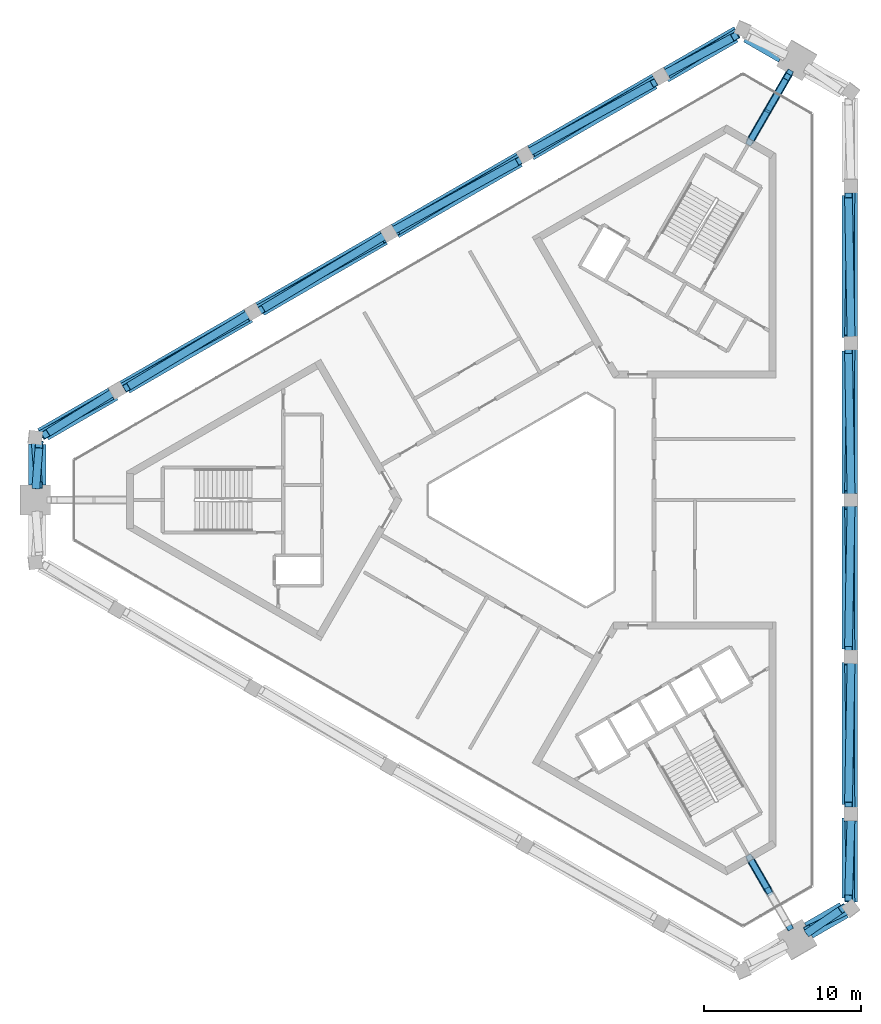
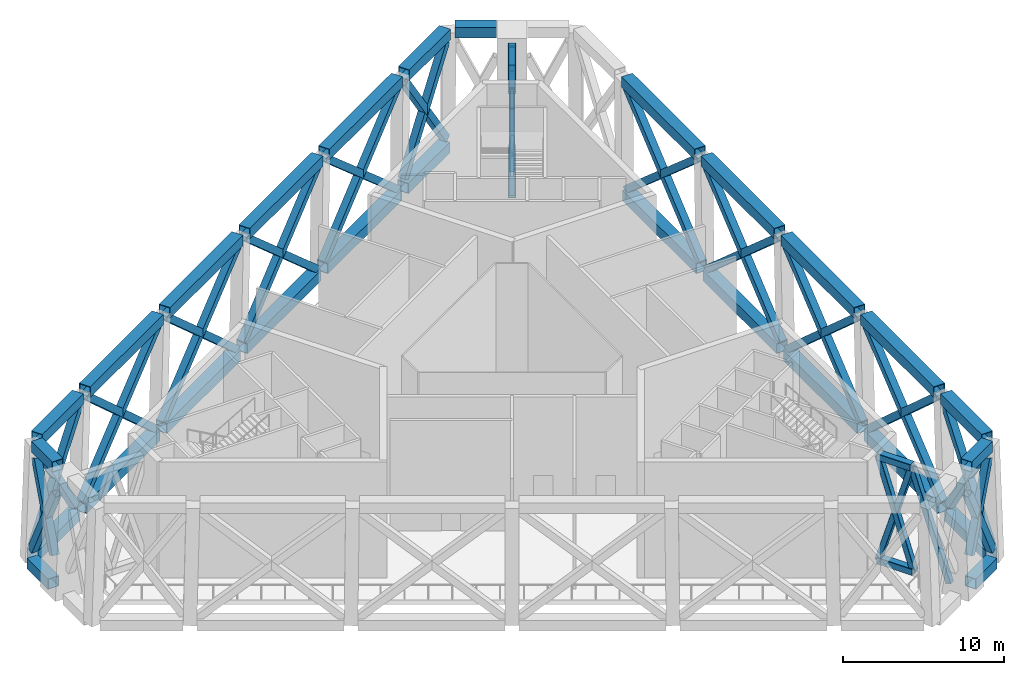
# One storey, part 2 of 8: 66 members.
"""IFC4 building model written with IfcOpenShell, lengths in metres."""

from ifc_helpers import new_model, si_unit, direction, frame, origin, origin_2d, place, context, subcontext, project, spatial, hollow_rectangle, extrude, material, material_profile, profile_set, type_object, element, save


model = new_model("IFC4")

# Units and contexts
model_context = context("Model", 3, precision=1e-05, world=origin(), true_north=direction((0.0, 1.0)))
body_context = subcontext(model_context, "Body", "Model", "MODEL_VIEW")
ifc_project = project(units=[si_unit("LENGTHUNIT", "METRE"), si_unit("AREAUNIT", "SQUARE_METRE"), si_unit("VOLUMEUNIT", "CUBIC_METRE"), si_unit("PLANEANGLEUNIT", "RADIAN"), si_unit("MASSUNIT", "GRAM", prefix="KILO")], contexts=[model_context])

# Site, building, storey
site_placement = place(None, origin())
site = spatial("IfcSite", under=ifc_project, at=site_placement, CompositionType="ELEMENT")
building_placement = place(site_placement, origin())
building = spatial("IfcBuilding", under=site, at=building_placement, Name="Jabali Bay Hotel Tower and Convention Centre", CompositionType="ELEMENT")
storey_placement = place(building_placement, frame((0.0, 0.0, 246.5)))
storey = spatial("IfcBuildingStorey", under=building, at=storey_placement, Name="L61", CompositionType="ELEMENT", Elevation=246.5)

# Members
ifc_material = material(Name="Steel Q420GJC", Category="steel")
ifc_material_profile_1 = material_profile(ifc_material, hollow_rectangle(XDim=0.5, YDim=0.5, WallThickness=0.030029296875, at=origin_2d()), Name="Belt brace 500x500x30")
ifc_profile_set_1 = profile_set([ifc_material_profile_1], Name="Steel Q420GJC")
member_type_1 = type_object("IfcMemberType", Name="Belt brace 500x500x30", PredefinedType="BRACE", material=ifc_profile_set_1)
member_1_placement = place(storey_placement, frame((87.4033203125, 109.87060546875, 0.600341796875), z_axis=(-0.491933269791, -0.303062988766, 0.81618287345), x_axis=(0.524517674968, -0.851399558754, 0.0)))
element("IfcMember", 1, at=member_1_placement, inside=storey, type_object=member_type_1, Name="Belt brace T5 V2-F1.1 x1", PredefinedType="BRACE", context=body_context, shape_type="SweptSolid", body=[
    extrude(hollow_rectangle(XDim=0.5, YDim=0.5, WallThickness=0.030029296875, at=origin_2d()), origin(), (0.0, 0.0, 1.0), 9.310791015625),
])
member_2_placement = place(storey_placement, frame((82.909423828125, 107.27490234375, 0.646240234375), z_axis=(0.484027977308, 0.259974160036, 0.835541951847), x_axis=(-0.473173550566, 0.880969233881, 0.0)))
element("IfcMember", 2, at=member_2_placement, inside=storey, type_object=member_type_1, Name="Belt brace T5 V2-F1.1 x2", PredefinedType="BRACE", context=body_context, shape_type="SweptSolid", body=[
    extrude(hollow_rectangle(XDim=0.5, YDim=0.5, WallThickness=0.030029296875, at=origin_2d()), origin(), (0.0, 0.0, 1.0), 8.9853515625),
])
member_3_placement = place(storey_placement, frame((82.170654296875, 106.854736328125, 0.369384765625), z_axis=(-0.646976424027, -0.38880565497, 0.655935720491), x_axis=(0.515099397878, -0.85713045116, 0.0)))
element("IfcMember", 3, at=member_3_placement, inside=storey, type_object=member_type_1, Name="Belt brace T5 F1.1-F1.2 x1", PredefinedType="BRACE", context=body_context, shape_type="SweptSolid", body=[
    extrude(hollow_rectangle(XDim=0.5, YDim=0.5, WallThickness=0.030029296875, at=origin_2d()), origin(), (0.0, 0.0, 1.0), 12.289794921875),
])
member_4_placement = place(storey_placement, frame((74.219482421875, 102.263916015625, 0.3798828125), z_axis=(0.652304487761, 0.36106930278, 0.666429151401), x_axis=(-0.484287316852, 0.874909020834, 0.0)))
element("IfcMember", 4, at=member_4_placement, inside=storey, type_object=member_type_1, Name="Belt brace T5 F1.1-F1.2 x2", PredefinedType="BRACE", context=body_context, shape_type="SweptSolid", body=[
    extrude(hollow_rectangle(XDim=0.5, YDim=0.5, WallThickness=0.030029296875, at=origin_2d()), origin(), (0.0, 0.0, 1.0), 12.064697265625),
])
member_5_placement = place(storey_placement, frame((73.4833984375, 101.839111328125, 0.372802734375), z_axis=(-0.644302497004, -0.387361017277, 0.659413174458), x_axis=(0.515257976218, -0.857035132269, 0.0)))
element("IfcMember", 5, at=member_5_placement, inside=storey, type_object=member_type_1, Name="Belt brace T5 F1.2-F1.3 x1", PredefinedType="BRACE", context=body_context, shape_type="SweptSolid", body=[
    extrude(hollow_rectangle(XDim=0.5, YDim=0.5, WallThickness=0.030029296875, at=origin_2d()), origin(), (0.0, 0.0, 1.0), 12.214599609375),
])
member_6_placement = place(storey_placement, frame((65.5322265625, 97.24853515625, 0.376220703125), z_axis=(0.654981674463, 0.362705554499, 0.662905488628), x_axis=(-0.484445116606, 0.874821655537, 0.0)))
element("IfcMember", 6, at=member_6_placement, inside=storey, type_object=member_type_1, Name="Belt brace T5 F1.2-F1.3 x2", PredefinedType="BRACE", context=body_context, shape_type="SweptSolid", body=[
    extrude(hollow_rectangle(XDim=0.5, YDim=0.5, WallThickness=0.030029296875, at=origin_2d()), origin(), (0.0, 0.0, 1.0), 12.1396484375),
])
member_7_placement = place(storey_placement, frame((64.796142578125, 96.823486328125, 0.376220703125), z_axis=(-0.641595044555, -0.385878130521, 0.662913167156), x_axis=(0.515400084535, -0.856949679305, 0.0)))
element("IfcMember", 7, at=member_7_placement, inside=storey, type_object=member_type_1, Name="Belt brace T5 F1.3-F1.4 x1", PredefinedType="BRACE", context=body_context, shape_type="SweptSolid", body=[
    extrude(hollow_rectangle(XDim=0.5, YDim=0.5, WallThickness=0.030029296875, at=origin_2d()), origin(), (0.0, 0.0, 1.0), 12.139404296875),
])
member_8_placement = place(storey_placement, frame((56.844970703125, 92.23291015625, 0.372802734375), z_axis=(0.657611695837, 0.364313801405, 0.65941057893), x_axis=(-0.484599676243, 0.874736048065, 0.0)))
element("IfcMember", 8, at=member_8_placement, inside=storey, type_object=member_type_1, Name="Belt brace T5 F1.3-F1.4 x2", PredefinedType="BRACE", context=body_context, shape_type="SweptSolid", body=[
    extrude(hollow_rectangle(XDim=0.5, YDim=0.5, WallThickness=0.030029296875, at=origin_2d()), origin(), (0.0, 0.0, 1.0), 12.214599609375),
])
member_9_placement = place(storey_placement, frame((56.109130859375, 91.807861328125, 0.3798828125), z_axis=(-0.638851655852, -0.384363267382, 0.666433372891), x_axis=(0.515533156982, -0.856869630721, 0.0)))
element("IfcMember", 9, at=member_9_placement, inside=storey, type_object=member_type_1, Name="Belt brace T5 F1.4-F1.5 x1", PredefinedType="BRACE", context=body_context, shape_type="SweptSolid", body=[
    extrude(hollow_rectangle(XDim=0.5, YDim=0.5, WallThickness=0.030029296875, at=origin_2d()), origin(), (0.0, 0.0, 1.0), 12.064697265625),
])
member_10_placement = place(storey_placement, frame((48.15771484375, 87.217529296875, 0.369384765625), z_axis=(0.660208909059, 0.365882159446, 0.655937833791), x_axis=(-0.484730960449, 0.874663304353, 0.0)))
element("IfcMember", 10, at=member_10_placement, inside=storey, type_object=member_type_1, Name="Belt brace T5 F1.4-F1.5 x2", PredefinedType="BRACE", context=body_context, shape_type="SweptSolid", body=[
    extrude(hollow_rectangle(XDim=0.5, YDim=0.5, WallThickness=0.030029296875, at=origin_2d()), origin(), (0.0, 0.0, 1.0), 12.289794921875),
])
member_11_placement = place(storey_placement, frame((47.424560546875, 86.787841796875, 0.646240234375), z_axis=(-0.467153142955, -0.289209448823, 0.835539248473), x_axis=(0.526380151701, -0.850249337486, 0.0)))
element("IfcMember", 11, at=member_11_placement, inside=storey, type_object=member_type_1, Name="Belt brace T5 F1.5-V3 x1", PredefinedType="BRACE", context=body_context, shape_type="SweptSolid", body=[
    extrude(hollow_rectangle(XDim=0.5, YDim=0.5, WallThickness=0.030029296875, at=origin_2d()), origin(), (0.0, 0.0, 1.0), 8.9853515625),
])
member_12_placement = place(storey_placement, frame((42.9296875, 84.193603515625, 0.600341796875), z_axis=(0.50840519823, 0.274511012444, 0.816191067373), x_axis=(-0.475111669279, 0.879925509185, 0.0)))
element("IfcMember", 12, at=member_12_placement, inside=storey, type_object=member_type_1, Name="Belt brace T5 F1.5-V3 x2", PredefinedType="BRACE", context=body_context, shape_type="SweptSolid", body=[
    extrude(hollow_rectangle(XDim=0.5, YDim=0.5, WallThickness=0.030029296875, at=origin_2d()), origin(), (0.0, 0.0, 1.0), 9.310791015625),
])
member_13_placement = place(storey_placement, frame((42.588623046875, 83.568115234375, 0.93408203125), z_axis=(0.032076559205, -0.412879931728, 0.910220443808), x_axis=(0.996995740309, 0.077456399387, 0.0)))
element("IfcMember", 13, at=member_13_placement, inside=storey, type_object=member_type_1, Name="Belt brace T5 V3-M0 x1", PredefinedType="BRACE", context=body_context, shape_type="SweptSolid", body=[
    extrude(hollow_rectangle(XDim=0.5, YDim=0.5, WallThickness=0.030029296875, at=origin_2d()), origin(), (0.0, 0.0, 1.0), 6.34765625),
])
for number, where, z_axis, x_axis, name in (
    (14, (42.629638671875, 80.947021484375, 2.101806640625), (0.032106794787, 0.410626973528, 0.911237972398), (-0.996957131511, 0.077951766681, 0.0), "Belt brace T5 V3-M0 x2"),
    (15, (92.00537109375, 52.440185546875, 2.101806640625), (0.339575090932, 0.233093244236, 0.911238880377), (-0.565927521835, 0.824454995758, 0.0), "Belt brace T5 M2-V0 x1"),
):
    element("IfcMember", number, at=place(storey_placement, frame(where, z_axis=z_axis, x_axis=x_axis)), inside=storey, type_object=member_type_1, Name=name, PredefinedType="BRACE", context=body_context, shape_type="SweptSolid", body=[
        extrude(hollow_rectangle(XDim=0.5, YDim=0.5, WallThickness=0.030029296875, at=origin_2d()), origin(), (0.0, 0.0, 1.0), 6.31884765625),
    ])
member_14_placement = place(storey_placement, frame((94.295654296875, 53.71484375, 0.93408203125), z_axis=(-0.3736105827, -0.178651549994, 0.910219070433), x_axis=(0.431393057332, -0.902164081576, 0.0)))
element("IfcMember", 16, at=member_14_placement, inside=storey, type_object=member_type_1, Name="Belt brace T5 M2-V0 x2", PredefinedType="BRACE", context=body_context, shape_type="SweptSolid", body=[
    extrude(hollow_rectangle(XDim=0.5, YDim=0.5, WallThickness=0.030029296875, at=origin_2d()), origin(), (0.0, 0.0, 1.0), 6.34765625),
])
member_15_placement = place(storey_placement, frame((94.6669921875, 54.3232421875, 0.600341796875), z_axis=(-0.016466957052, 0.577549675219, 0.816189446134), x_axis=(-0.999593787451, -0.028500176996, 0.0)))
element("IfcMember", 17, at=member_15_placement, inside=storey, type_object=member_type_1, Name="Belt brace T5 V0-F0.1 x1", PredefinedType="BRACE", context=body_context, shape_type="SweptSolid", body=[
    extrude(hollow_rectangle(XDim=0.5, YDim=0.5, WallThickness=0.030029296875, at=origin_2d()), origin(), (0.0, 0.0, 1.0), 9.310791015625),
])
member_16_placement = place(storey_placement, frame((94.666015625, 59.512939453125, 0.646240234375), z_axis=(-0.016873164901, -0.549179402556, 0.835534128636), x_axis=(0.999528341915, -0.03070983081, 0.0)))
element("IfcMember", 18, at=member_16_placement, inside=storey, type_object=member_type_1, Name="Belt brace T5 V0-F0.1 x2", PredefinedType="BRACE", context=body_context, shape_type="SweptSolid", body=[
    extrude(hollow_rectangle(XDim=0.5, YDim=0.5, WallThickness=0.030029296875, at=origin_2d()), origin(), (0.0, 0.0, 1.0), 8.9853515625),
])
member_17_placement = place(storey_placement, frame((94.671630859375, 60.362548828125, 0.369384765625), z_axis=(-0.013250162817, 0.75470305184, 0.655932722716), x_axis=(-0.999845915187, -0.017554084531, 0.0)))
element("IfcMember", 19, at=member_17_placement, inside=storey, type_object=member_type_1, Name="Belt brace T5 F0.1-F0.2 x1", PredefinedType="BRACE", context=body_context, shape_type="SweptSolid", body=[
    extrude(hollow_rectangle(XDim=0.5, YDim=0.5, WallThickness=0.030029296875, at=origin_2d()), origin(), (0.0, 0.0, 1.0), 12.289794921875),
])
member_18_placement = place(storey_placement, frame((94.67138671875, 69.5439453125, 0.3798828125), z_axis=(-0.013456843981, -0.745448448998, 0.666427432837), x_axis=(0.999837102252, -0.018049070878, 0.0)))
element("IfcMember", 20, at=member_18_placement, inside=storey, type_object=member_type_1, Name="Belt brace T5 F0.1-F0.2 x2", PredefinedType="BRACE", context=body_context, shape_type="SweptSolid", body=[
    extrude(hollow_rectangle(XDim=0.5, YDim=0.5, WallThickness=0.030029296875, at=origin_2d()), origin(), (0.0, 0.0, 1.0), 12.064697265625),
])
member_19_placement = place(storey_placement, frame((94.671630859375, 70.393798828125, 0.372802734375), z_axis=(-0.013311853314, 0.751659993603, 0.659416445486), x_axis=(-0.999843215894, -0.017707163266, 0.0)))
element("IfcMember", 21, at=member_19_placement, inside=storey, type_object=member_type_1, Name="Belt brace T5 F0.2-F0.3 x1", PredefinedType="BRACE", context=body_context, shape_type="SweptSolid", body=[
    extrude(hollow_rectangle(XDim=0.5, YDim=0.5, WallThickness=0.030029296875, at=origin_2d()), origin(), (0.0, 0.0, 1.0), 12.214599609375),
])
for number, where, z_axis, x_axis, name in (
    (22, (94.67138671875, 79.574951171875, 0.376220703125), (-0.013373994498, -0.74858168904, 0.662907679172), (0.999840445178, -0.017862927732, 0.0), "Belt brace T5 F0.2-F0.3 x2"),
    (23, (94.67138671875, 80.425048828125, 0.376220703125), (-0.013373994498, 0.74858168904, 0.662907679172), (-0.999840445178, -0.017862927732, 0.0), "Belt brace T5 F0.3-F0.4 x1"),
):
    element("IfcMember", number, at=place(storey_placement, frame(where, z_axis=z_axis, x_axis=x_axis)), inside=storey, type_object=member_type_1, Name=name, PredefinedType="BRACE", context=body_context, shape_type="SweptSolid", body=[
        extrude(hollow_rectangle(XDim=0.5, YDim=0.5, WallThickness=0.030029296875, at=origin_2d()), origin(), (0.0, 0.0, 1.0), 12.139404296875),
    ])
member_20_placement = place(storey_placement, frame((94.671630859375, 89.606201171875, 0.372802734375), z_axis=(-0.013311853314, -0.751659993603, 0.659416445486), x_axis=(0.999843215894, -0.017707163266, 0.0)))
element("IfcMember", 24, at=member_20_placement, inside=storey, type_object=member_type_1, Name="Belt brace T5 F0.3-F0.4 x2", PredefinedType="BRACE", context=body_context, shape_type="SweptSolid", body=[
    extrude(hollow_rectangle(XDim=0.5, YDim=0.5, WallThickness=0.030029296875, at=origin_2d()), origin(), (0.0, 0.0, 1.0), 12.214599609375),
])
member_21_placement = place(storey_placement, frame((94.67138671875, 90.4560546875, 0.3798828125), z_axis=(-0.013456843981, 0.745448448998, 0.666427432837), x_axis=(-0.999837102252, -0.018049070878, 0.0)))
element("IfcMember", 25, at=member_21_placement, inside=storey, type_object=member_type_1, Name="Belt brace T5 F0.4-F0.5 x1", PredefinedType="BRACE", context=body_context, shape_type="SweptSolid", body=[
    extrude(hollow_rectangle(XDim=0.5, YDim=0.5, WallThickness=0.030029296875, at=origin_2d()), origin(), (0.0, 0.0, 1.0), 12.064697265625),
])
member_22_placement = place(storey_placement, frame((94.671630859375, 99.637451171875, 0.369384765625), z_axis=(-0.013250162817, -0.75470305184, 0.655932722716), x_axis=(0.999845915187, -0.017554084531, 0.0)))
element("IfcMember", 26, at=member_22_placement, inside=storey, type_object=member_type_1, Name="Belt brace T5 F0.4-F0.5 x2", PredefinedType="BRACE", context=body_context, shape_type="SweptSolid", body=[
    extrude(hollow_rectangle(XDim=0.5, YDim=0.5, WallThickness=0.030029296875, at=origin_2d()), origin(), (0.0, 0.0, 1.0), 12.289794921875),
])
ifc_material_profile_2 = material_profile(ifc_material, hollow_rectangle(XDim=0.800048828125, YDim=0.800048828125, WallThickness=0.0400390625, at=origin_2d()), Name="Belt chord 800x800x40")
ifc_profile_set_2 = profile_set([ifc_material_profile_2], Name="Steel Q420GJC")
member_type_2 = type_object("IfcMemberType", Name="Belt chord 800x800x40", PredefinedType="CHORD", material=ifc_profile_set_2)
member_23_placement = place(storey_placement, frame((87.397216796875, 109.880859375, 0.0), z_axis=(-0.866022628259, -0.50000480732, 0.0), x_axis=(0.50000480732, -0.866022628259, 0.0)))
element("IfcMember", 27, at=member_23_placement, inside=storey, type_object=member_type_2, Name="Belt chord T5 V2-F1.1", PredefinedType="CHORD", context=body_context, shape_type="SweptSolid", body=[
    extrude(hollow_rectangle(XDim=0.800048828125, YDim=0.800048828125, WallThickness=0.0400390625, at=origin_2d()), origin(), (0.0, 0.0, 1.0), 5.189453125),
])
member_24_placement = place(storey_placement, frame((82.166748046875, 106.861328125, 0.0), z_axis=(-0.866020408875, -0.500008651337, 0.0), x_axis=(0.500008651337, -0.866020408875, 0.0)))
element("IfcMember", 28, at=member_24_placement, inside=storey, type_object=member_type_2, Name="Belt chord T5 F1.1-F1.2", PredefinedType="CHORD", context=body_context, shape_type="SweptSolid", body=[
    extrude(hollow_rectangle(XDim=0.800048828125, YDim=0.800048828125, WallThickness=0.0400390625, at=origin_2d()), origin(), (0.0, 0.0, 1.0), 9.180908203125),
])
for number, where, z_axis, x_axis, name in (
    (29, (73.479736328125, 101.845703125, 0.0), (-0.866027056866, -0.499997136768, 0.0), (0.499997136768, -0.866027056866, 0.0), "Belt chord T5 F1.2-F1.3"),
    (30, (64.79248046875, 96.830078125, 0.0), (-0.866027056866, -0.499997136768, 0.0), (0.499997136768, -0.866027056866, 0.0), "Belt chord T5 F1.3-F1.4"),
    (31, (56.105224609375, 91.814453125, 0.0), (-0.866027056866, -0.499997136768, 0.0), (0.499997136768, -0.866027056866, 0.0), "Belt chord T5 F1.4-F1.5"),
):
    element("IfcMember", number, at=place(storey_placement, frame(where, z_axis=z_axis, x_axis=x_axis)), inside=storey, type_object=member_type_2, Name=name, PredefinedType="CHORD", context=body_context, shape_type="SweptSolid", body=[
        extrude(hollow_rectangle(XDim=0.800048828125, YDim=0.800048828125, WallThickness=0.0400390625, at=origin_2d()), origin(), (0.0, 0.0, 1.0), 9.18115234375),
    ])
member_25_placement = place(storey_placement, frame((47.41796875, 86.798828125, 0.0), z_axis=(-0.866042999663, -0.499969521807, 0.0), x_axis=(0.499969521807, -0.866042999663, 0.0)))
element("IfcMember", 32, at=member_25_placement, inside=storey, type_object=member_type_2, Name="Belt chord T5 F1.5-V3", PredefinedType="CHORD", context=body_context, shape_type="SweptSolid", body=[
    extrude(hollow_rectangle(XDim=0.800048828125, YDim=0.800048828125, WallThickness=0.0400390625, at=origin_2d()), origin(), (0.0, 0.0, 1.0), 5.189208984375),
])
for number, where, z_axis, x_axis, name in (
    (33, (42.5556640625, 83.566650390625, 0.0), (0.0, -1.0, 0.0), (1.0, 0.0, 0.0), "Belt chord T5 V3-M0"),
    (34, (92.044921875, 52.37744140625, 0.0), (0.86602399778, 0.500002435262, 0.0), (-0.500002435262, 0.86602399778, 0.0), "Belt chord T5 M2-V0"),
):
    element("IfcMember", number, at=place(storey_placement, frame(where, z_axis=z_axis, x_axis=x_axis)), inside=storey, type_object=member_type_2, Name=name, PredefinedType="CHORD", context=body_context, shape_type="SweptSolid", body=[
        extrude(hollow_rectangle(XDim=0.800048828125, YDim=0.800048828125, WallThickness=0.0400390625, at=origin_2d()), origin(), (0.0, 0.0, 1.0), 2.61669921875),
    ])
member_26_placement = place(storey_placement, frame((94.67919921875, 54.3232421875, 0.0), z_axis=(0.0, 1.0, 0.0), x_axis=(-1.0, 0.0, 0.0)))
element("IfcMember", 35, at=member_26_placement, inside=storey, type_object=member_type_2, Name="Belt chord T5 V0-F0.1", PredefinedType="CHORD", context=body_context, shape_type="SweptSolid", body=[
    extrude(hollow_rectangle(XDim=0.800048828125, YDim=0.800048828125, WallThickness=0.0400390625, at=origin_2d()), origin(), (0.0, 0.0, 1.0), 5.189453125),
])
for number, where, z_axis, x_axis, name in (
    (36, (94.67919921875, 60.36279296875, 0.0), (0.0, 1.0, 0.0), (-1.0, 0.0, 0.0), "Belt chord T5 F0.1-F0.2"),
    (37, (94.67919921875, 70.393798828125, 0.0), (0.0, 1.0, 0.0), (-1.0, 0.0, 0.0), "Belt chord T5 F0.2-F0.3"),
    (38, (94.67919921875, 80.425048828125, 0.0), (0.0, 1.0, 0.0), (-1.0, 0.0, 0.0), "Belt chord T5 F0.3-F0.4"),
    (39, (94.67919921875, 90.4560546875, 0.0), (0.0, 1.0, 0.0), (-1.0, 0.0, 0.0), "Belt chord T5 F0.4-F0.5"),
):
    element("IfcMember", number, at=place(storey_placement, frame(where, z_axis=z_axis, x_axis=x_axis)), inside=storey, type_object=member_type_2, Name=name, PredefinedType="CHORD", context=body_context, shape_type="SweptSolid", body=[
        extrude(hollow_rectangle(XDim=0.800048828125, YDim=0.800048828125, WallThickness=0.0400390625, at=origin_2d()), origin(), (0.0, 0.0, 1.0), 9.18115234375),
    ])
member_27_placement = place(storey_placement, frame((90.244384765625, 108.30419921875, 8.800048828125), z_axis=(-0.866036488581, 0.499980800078, 0.0), x_axis=(-0.499980800078, -0.866036488581, 0.0)))
element("IfcMember", 40, at=member_27_placement, inside=storey, type_object=member_type_2, Name="Belt chord T5 M1-V2", PredefinedType="CHORD", context=body_context, shape_type="SweptSolid", body=[
    extrude(hollow_rectangle(XDim=0.800048828125, YDim=0.800048828125, WallThickness=0.0400390625, at=origin_2d()), origin(), (0.0, 0.0, 1.0), 2.59033203125),
])
member_28_placement = place(storey_placement, frame((87.264892578125, 109.599365234375, 8.800048828125), z_axis=(-0.866031589583, -0.49998928573, 0.0), x_axis=(0.49998928573, -0.866031589583, 0.0)))
element("IfcMember", 41, at=member_28_placement, inside=storey, type_object=member_type_2, Name="Belt chord T5 V2-F1.1", PredefinedType="CHORD", context=body_context, shape_type="SweptSolid", body=[
    extrude(hollow_rectangle(XDim=0.800048828125, YDim=0.800048828125, WallThickness=0.0400390625, at=origin_2d()), origin(), (0.0, 0.0, 1.0), 5.12158203125),
])
member_29_placement = place(storey_placement, frame((82.093017578125, 106.613525390625, 8.800048828125), z_axis=(-0.866017359955, -0.500013932063, 0.0), x_axis=(0.500013932063, -0.866017359955, 0.0)))
element("IfcMember", 42, at=member_29_placement, inside=storey, type_object=member_type_2, Name="Belt chord T5 F1.1-F1.2", PredefinedType="CHORD", context=body_context, shape_type="SweptSolid", body=[
    extrude(hollow_rectangle(XDim=0.800048828125, YDim=0.800048828125, WallThickness=0.0400390625, at=origin_2d()), origin(), (0.0, 0.0, 1.0), 9.087158203125),
])
member_30_placement = place(storey_placement, frame((73.487060546875, 101.644775390625, 8.800048828125), z_axis=(-0.866028993663, -0.499993782096, 0.0), x_axis=(0.499993782096, -0.866028993663, 0.0)))
element("IfcMember", 43, at=member_30_placement, inside=storey, type_object=member_type_2, Name="Belt chord T5 F1.2-F1.3", PredefinedType="CHORD", context=body_context, shape_type="SweptSolid", body=[
    extrude(hollow_rectangle(XDim=0.800048828125, YDim=0.800048828125, WallThickness=0.0400390625, at=origin_2d()), origin(), (0.0, 0.0, 1.0), 9.0869140625),
])
member_31_placement = place(storey_placement, frame((64.881103515625, 96.67626953125, 8.800048828125), z_axis=(-0.866017359955, -0.500013932063, 0.0), x_axis=(0.500013932063, -0.866017359955, 0.0)))
element("IfcMember", 44, at=member_31_placement, inside=storey, type_object=member_type_2, Name="Belt chord T5 F1.3-F1.4", PredefinedType="CHORD", context=body_context, shape_type="SweptSolid", body=[
    extrude(hollow_rectangle(XDim=0.800048828125, YDim=0.800048828125, WallThickness=0.0400390625, at=origin_2d()), origin(), (0.0, 0.0, 1.0), 9.087158203125),
])
member_32_placement = place(storey_placement, frame((56.275390625, 91.70751953125, 8.800048828125), z_axis=(-0.86602407674, -0.500002298502, 0.0), x_axis=(0.500002298502, -0.86602407674, 0.0)))
element("IfcMember", 45, at=member_32_placement, inside=storey, type_object=member_type_2, Name="Belt chord T5 F1.4-F1.5", PredefinedType="CHORD", context=body_context, shape_type="SweptSolid", body=[
    extrude(hollow_rectangle(XDim=0.800048828125, YDim=0.800048828125, WallThickness=0.0400390625, at=origin_2d()), origin(), (0.0, 0.0, 1.0), 9.08740234375),
])
member_33_placement = place(storey_placement, frame((47.66943359375, 86.739013671875, 8.800048828125), z_axis=(-0.866010948798, -0.500025035936, 0.0), x_axis=(0.500025035936, -0.866010948798, 0.0)))
element("IfcMember", 46, at=member_33_placement, inside=storey, type_object=member_type_2, Name="Belt chord T5 F1.5-V3", PredefinedType="CHORD", context=body_context, shape_type="SweptSolid", body=[
    extrude(hollow_rectangle(XDim=0.800048828125, YDim=0.800048828125, WallThickness=0.0400390625, at=origin_2d()), origin(), (0.0, 0.0, 1.0), 5.121826171875),
])
member_34_placement = place(storey_placement, frame((42.86572265625, 83.54052734375, 8.800048828125), z_axis=(0.0, -1.0, 0.0), x_axis=(1.0, 0.0, 0.0)))
element("IfcMember", 47, at=member_34_placement, inside=storey, type_object=member_type_2, Name="Belt chord T5 V3-M0", PredefinedType="CHORD", context=body_context, shape_type="SweptSolid", body=[
    extrude(hollow_rectangle(XDim=0.800048828125, YDim=0.800048828125, WallThickness=0.0400390625, at=origin_2d()), origin(), (0.0, 0.0, 1.0), 2.590576171875),
])
member_35_placement = place(storey_placement, frame((91.889892578125, 52.64599609375, 8.800048828125), z_axis=(0.866036488581, 0.499980800078, 0.0), x_axis=(-0.499980800078, 0.866036488581, 0.0)))
element("IfcMember", 48, at=member_35_placement, inside=storey, type_object=member_type_2, Name="Belt chord T5 M2-V0", PredefinedType="CHORD", context=body_context, shape_type="SweptSolid", body=[
    extrude(hollow_rectangle(XDim=0.800048828125, YDim=0.800048828125, WallThickness=0.0400390625, at=origin_2d()), origin(), (0.0, 0.0, 1.0), 2.59033203125),
])
member_36_placement = place(storey_placement, frame((94.50146484375, 54.57861328125, 8.800048828125), z_axis=(0.0, 1.0, 0.0), x_axis=(-1.0, 0.0, 0.0)))
element("IfcMember", 49, at=member_36_placement, inside=storey, type_object=member_type_2, Name="Belt chord T5 V0-F0.1", PredefinedType="CHORD", context=body_context, shape_type="SweptSolid", body=[
    extrude(hollow_rectangle(XDim=0.800048828125, YDim=0.800048828125, WallThickness=0.0400390625, at=origin_2d()), origin(), (0.0, 0.0, 1.0), 5.121826171875),
])
member_37_placement = place(storey_placement, frame((94.50146484375, 60.55029296875, 8.800048828125), z_axis=(0.0, 1.0, 0.0), x_axis=(-1.0, 0.0, 0.0)))
element("IfcMember", 50, at=member_37_placement, inside=storey, type_object=member_type_2, Name="Belt chord T5 F0.1-F0.2", PredefinedType="CHORD", context=body_context, shape_type="SweptSolid", body=[
    extrude(hollow_rectangle(XDim=0.800048828125, YDim=0.800048828125, WallThickness=0.0400390625, at=origin_2d()), origin(), (0.0, 0.0, 1.0), 9.08740234375),
])
for number, where, z_axis, x_axis, name in (
    (51, (94.50146484375, 70.48779296875, 8.800048828125), (0.0, 1.0, 0.0), (-1.0, 0.0, 0.0), "Belt chord T5 F0.2-F0.3"),
    (52, (94.50146484375, 80.425048828125, 8.800048828125), (0.0, 1.0, 0.0), (-1.0, 0.0, 0.0), "Belt chord T5 F0.3-F0.4"),
):
    element("IfcMember", number, at=place(storey_placement, frame(where, z_axis=z_axis, x_axis=x_axis)), inside=storey, type_object=member_type_2, Name=name, PredefinedType="CHORD", context=body_context, shape_type="SweptSolid", body=[
        extrude(hollow_rectangle(XDim=0.800048828125, YDim=0.800048828125, WallThickness=0.0400390625, at=origin_2d()), origin(), (0.0, 0.0, 1.0), 9.087158203125),
    ])
member_38_placement = place(storey_placement, frame((94.50146484375, 90.3623046875, 8.800048828125), z_axis=(0.0, 1.0, 0.0), x_axis=(-1.0, 0.0, 0.0)))
element("IfcMember", 53, at=member_38_placement, inside=storey, type_object=member_type_2, Name="Belt chord T5 F0.4-F0.5", PredefinedType="CHORD", context=body_context, shape_type="SweptSolid", body=[
    extrude(hollow_rectangle(XDim=0.800048828125, YDim=0.800048828125, WallThickness=0.0400390625, at=origin_2d()), origin(), (0.0, 0.0, 1.0), 9.08740234375),
])
ifc_material_profile_3 = material_profile(ifc_material, hollow_rectangle(XDim=0.39990234375, YDim=0.39990234375, WallThickness=0.011962890625, InnerFilletRadius=0.01806640625, OuterFilletRadius=0.030029296875, at=origin_2d()), Name="Outrigger brace 400x400x12")
ifc_profile_set_3 = profile_set([ifc_material_profile_3], Name="Steel Q420GJC")
member_type_3 = type_object("IfcMemberType", Name="Outrigger brace 400x400x12", PredefinedType="BRACE", material=ifc_profile_set_3)
member_39_placement = place(storey_placement, frame((88.18896484375, 102.843994140625, 0.25), z_axis=(0.146147551525, 0.25313524344, 0.956328103588), x_axis=(-0.866025625133, 0.499999616612, 0.0)))
element("IfcMember", 54, at=member_39_placement, inside=storey, type_object=member_type_3, Name="Outrigger brace T5 2.1x1", PredefinedType="BRACE", context=body_context, shape_type="SweptSolid", body=[
    extrude(hollow_rectangle(XDim=0.39990234375, YDim=0.39990234375, WallThickness=0.011962890625, InnerFilletRadius=0.01806640625, OuterFilletRadius=0.030029296875, at=origin_2d()), origin(), (0.0, 0.0, 1.0), 8.2607421875),
])
member_40_placement = place(storey_placement, frame((89.4658203125, 105.0556640625, 0.25), z_axis=(-0.153793030262, -0.266388348212, 0.951517184175), x_axis=(0.86603434879, -0.499984506476, 0.0)))
element("IfcMember", 55, at=member_40_placement, inside=storey, type_object=member_type_3, Name="Outrigger brace T5 2.1x2", PredefinedType="BRACE", context=body_context, shape_type="SweptSolid", body=[
    extrude(hollow_rectangle(XDim=0.39990234375, YDim=0.39990234375, WallThickness=0.011962890625, InnerFilletRadius=0.01806640625, OuterFilletRadius=0.030029296875, at=origin_2d()), origin(), (0.0, 0.0, 1.0), 8.302490234375),
])
member_41_placement = place(storey_placement, frame((89.4658203125, 105.0556640625, 0.25), z_axis=(0.138388228792, 0.239684848623, 0.960936975807), x_axis=(-0.866015833478, 0.50001657589, 0.0)))
element("IfcMember", 56, at=member_41_placement, inside=storey, type_object=member_type_3, Name="Outrigger brace T5 2.2x1", PredefinedType="BRACE", context=body_context, shape_type="SweptSolid", body=[
    extrude(hollow_rectangle(XDim=0.39990234375, YDim=0.39990234375, WallThickness=0.011962890625, InnerFilletRadius=0.01806640625, OuterFilletRadius=0.030029296875, at=origin_2d()), origin(), (0.0, 0.0, 1.0), 8.220947265625),
])
member_42_placement = place(storey_placement, frame((90.74267578125, 107.267333984375, 0.25), z_axis=(-0.161321098619, -0.279437979166, 0.946514616337), x_axis=(0.866042170144, -0.499970958688, 0.0)))
element("IfcMember", 57, at=member_42_placement, inside=storey, type_object=member_type_3, Name="Outrigger brace T5 2.2x2", PredefinedType="BRACE", context=body_context, shape_type="SweptSolid", body=[
    extrude(hollow_rectangle(XDim=0.39990234375, YDim=0.39990234375, WallThickness=0.011962890625, InnerFilletRadius=0.01806640625, OuterFilletRadius=0.030029296875, at=origin_2d()), origin(), (0.0, 0.0, 1.0), 8.34619140625),
])
member_43_placement = place(storey_placement, frame((88.18896484375, 57.156005859375, 0.25), z_axis=(0.146147551525, -0.25313524344, 0.956328103588), x_axis=(0.866025625133, 0.499999616612, 0.0)))
element("IfcMember", 58, at=member_43_placement, inside=storey, type_object=member_type_3, Name="Outrigger brace T5 3.1x1", PredefinedType="BRACE", context=body_context, shape_type="SweptSolid", body=[
    extrude(hollow_rectangle(XDim=0.39990234375, YDim=0.39990234375, WallThickness=0.011962890625, InnerFilletRadius=0.01806640625, OuterFilletRadius=0.030029296875, at=origin_2d()), origin(), (0.0, 0.0, 1.0), 8.2607421875),
])
member_44_placement = place(storey_placement, frame((89.4658203125, 54.9443359375, 0.25), z_axis=(-0.153793030262, 0.266388348212, 0.951517184175), x_axis=(-0.86603434879, -0.499984506476, 0.0)))
element("IfcMember", 59, at=member_44_placement, inside=storey, type_object=member_type_3, Name="Outrigger brace T5 3.1x2", PredefinedType="BRACE", context=body_context, shape_type="SweptSolid", body=[
    extrude(hollow_rectangle(XDim=0.39990234375, YDim=0.39990234375, WallThickness=0.011962890625, InnerFilletRadius=0.01806640625, OuterFilletRadius=0.030029296875, at=origin_2d()), origin(), (0.0, 0.0, 1.0), 8.302490234375),
])
member_45_placement = place(storey_placement, frame((90.74267578125, 52.732666015625, 0.25), z_axis=(-0.161321098619, 0.279437979166, 0.946514616337), x_axis=(-0.866042170144, -0.499970958688, 0.0)))
element("IfcMember", 60, at=member_45_placement, inside=storey, type_object=member_type_3, Name="Outrigger brace T5 3.2x2", PredefinedType="BRACE", context=body_context, shape_type="SweptSolid", body=[
    extrude(hollow_rectangle(XDim=0.39990234375, YDim=0.39990234375, WallThickness=0.011962890625, InnerFilletRadius=0.01806640625, OuterFilletRadius=0.030029296875, at=origin_2d()), origin(), (0.0, 0.0, 1.0), 8.34619140625),
])
ifc_material_profile_4 = material_profile(ifc_material, hollow_rectangle(XDim=0.5, YDim=0.5, WallThickness=0.01611328125, InnerFilletRadius=0.02392578125, OuterFilletRadius=0.0400390625, at=origin_2d()), Name="Outrigger chord 500x500x16")
ifc_profile_set_4 = profile_set([ifc_material_profile_4], Name="Steel Q420GJC")
member_type_4 = type_object("IfcMemberType", Name="Outrigger chord 500x500x16", PredefinedType="CHORD", material=ifc_profile_set_4)
for number, where, z_axis, x_axis, name in (
    (61, (88.18896484375, 102.843994140625, 0.25), (0.499984506476, 0.86603434879, 0.0), (-0.86603434879, 0.499984506476, 0.0), "Outrigger chord T5 2.lo1"),
    (62, (89.4658203125, 105.0556640625, 0.25), (0.499984506476, 0.86603434879, 0.0), (-0.86603434879, 0.499984506476, 0.0), "Outrigger chord T5 2.lo2"),
):
    element("IfcMember", number, at=place(storey_placement, frame(where, z_axis=z_axis, x_axis=x_axis)), inside=storey, type_object=member_type_4, Name=name, PredefinedType="CHORD", context=body_context, shape_type="SweptSolid", body=[
        extrude(hollow_rectangle(XDim=0.5, YDim=0.5, WallThickness=0.01611328125, InnerFilletRadius=0.02392578125, OuterFilletRadius=0.0400390625, at=origin_2d()), origin(), (0.0, 0.0, 1.0), 2.5537109375),
    ])
for number, where, z_axis, x_axis, name in (
    (63, (88.18896484375, 102.843994140625, 8.14990234375), (0.499999616612, 0.866025625133, 0.0), (-0.866025625133, 0.499999616612, 0.0), "Outrigger chord T5 2.hi1"),
    (64, (89.396240234375, 104.93505859375, 8.14990234375), (0.499999616612, 0.866025625133, 0.0), (-0.866025625133, 0.499999616612, 0.0), "Outrigger chord T5 2.hi2"),
):
    element("IfcMember", number, at=place(storey_placement, frame(where, z_axis=z_axis, x_axis=x_axis)), inside=storey, type_object=member_type_4, Name=name, PredefinedType="CHORD", context=body_context, shape_type="SweptSolid", body=[
        extrude(hollow_rectangle(XDim=0.5, YDim=0.5, WallThickness=0.01611328125, InnerFilletRadius=0.02392578125, OuterFilletRadius=0.0400390625, at=origin_2d()), origin(), (0.0, 0.0, 1.0), 2.41455078125),
    ])
member_46_placement = place(storey_placement, frame((88.18896484375, 57.156005859375, 0.25), z_axis=(0.499984506476, -0.86603434879, 0.0), x_axis=(0.86603434879, 0.499984506476, 0.0)))
element("IfcMember", 65, at=member_46_placement, inside=storey, type_object=member_type_4, Name="Outrigger chord T5 3.lo1", PredefinedType="CHORD", context=body_context, shape_type="SweptSolid", body=[
    extrude(hollow_rectangle(XDim=0.5, YDim=0.5, WallThickness=0.01611328125, InnerFilletRadius=0.02392578125, OuterFilletRadius=0.0400390625, at=origin_2d()), origin(), (0.0, 0.0, 1.0), 2.5537109375),
])
member_47_placement = place(storey_placement, frame((88.18896484375, 57.156005859375, 8.14990234375), z_axis=(0.499999616612, -0.866025625133, 0.0), x_axis=(0.866025625133, 0.499999616612, 0.0)))
element("IfcMember", 66, at=member_47_placement, inside=storey, type_object=member_type_4, Name="Outrigger chord T5 3.hi1", PredefinedType="CHORD", context=body_context, shape_type="SweptSolid", body=[
    extrude(hollow_rectangle(XDim=0.5, YDim=0.5, WallThickness=0.01611328125, InnerFilletRadius=0.02392578125, OuterFilletRadius=0.0400390625, at=origin_2d()), origin(), (0.0, 0.0, 1.0), 2.41455078125),
])

save(model, "model.ifc")
